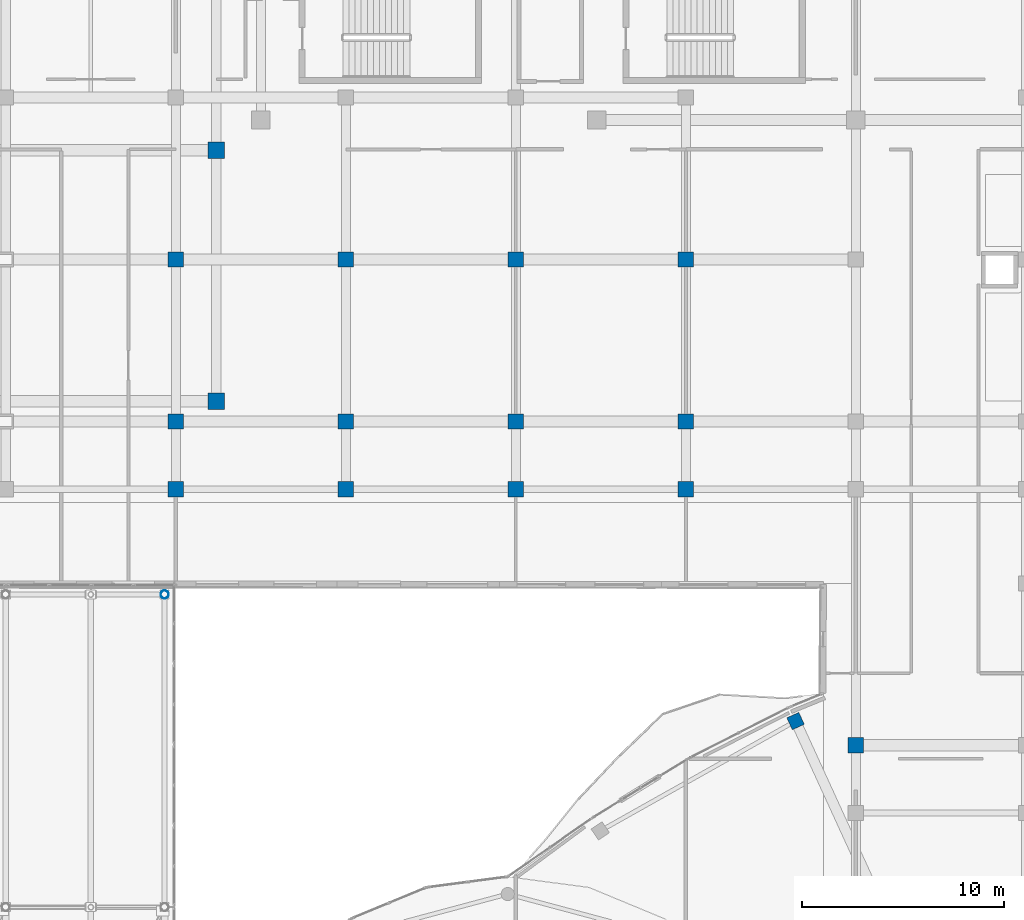
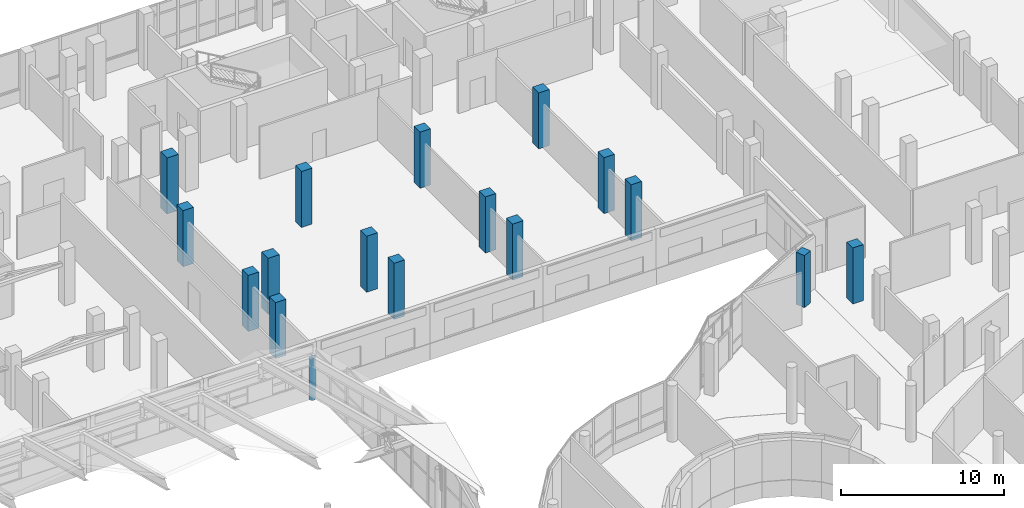
# One storey, part 10 of 184: 17 columns.
"""IFC4 building model written with IfcOpenShell, lengths in metres."""

import ifcopenshell
import ifcopenshell.guid

model = None  # the IFC model being written
_history = None  # IfcOwnerHistory: only IFC2X3 demands one
_inside = {}  # id of a spatial element -> (the spatial element, [elements in it])
_under = {}  # id of a project, library or spatial element -> (it, [spatial elements below it])
_declared = {}  # id of a project -> (the project, [libraries it declares])
_typed = {}  # id of a type object -> (the type object, [elements of that type])
_made_of = {}  # id of a material, layer set ... -> (it, [elements and type objects made of it])


def new_model(schema):
    """Start an empty IFC model of exactly this schema.

    Asked for "IFC4X3", IfcOpenShell would pick the latest addendum, in which some entities
    have other attributes; the version numbers below select the first issue.
    IFC2X3 requires an IfcOwnerHistory on every rooted entity: one is made here for all.
    """
    global model, _history
    if schema == "IFC4X3":
        model = ifcopenshell.file(schema_version=(4, 3, 0, 0))
    else:
        model = ifcopenshell.file(schema=schema)
    _inside.clear()
    _under.clear()
    _declared.clear()
    _typed.clear()
    _made_of.clear()
    _history = None
    if model.schema == "IFC2X3":
        org = make("IfcOrganization", Name="unknown")
        user = make(
            "IfcPersonAndOrganization",
            ThePerson=make("IfcPerson", FamilyName="unknown"),
            TheOrganization=org,
        )
        app = make(
            "IfcApplication",
            ApplicationDeveloper=org,
            Version="unknown",
            ApplicationFullName="unknown",
            ApplicationIdentifier="unknown",
        )
        _history = make(
            "IfcOwnerHistory",
            OwningUser=user,
            OwningApplication=app,
            ChangeAction="ADDED",
            CreationDate=0,
        )
    return model


def make(cls, **values):
    """One entity of the class cls with the attributes given. An attribute that is None is left unset."""
    return model.create_entity(
        cls, **{name: value for name, value in values.items() if value is not None}
    )


def rooted(cls, **values):
    """An entity with a GlobalId (a new one), such as an element, a storey or a relation."""
    return make(cls, GlobalId=ifcopenshell.guid.new(), OwnerHistory=_history, **values)


def si_unit(unit_type, name, prefix=None):
    """IfcSIUnit, for example si_unit("LENGTHUNIT", "METRE", prefix="MILLI")."""
    return make("IfcSIUnit", UnitType=unit_type, Prefix=prefix, Name=name)


def assignment(units):
    """IfcUnitAssignment: the units of a project."""
    return None if units is None else make("IfcUnitAssignment", Units=units)


def point(xyz):
    """IfcCartesianPoint."""
    return None if xyz is None else make("IfcCartesianPoint", Coordinates=xyz)


def direction(xyz):
    """IfcDirection."""
    return None if xyz is None else make("IfcDirection", DirectionRatios=xyz)


def frame(location, z_axis=None, x_axis=None):
    """IfcAxis2Placement3D, a coordinate frame: its origin and axes. An axis left out is left unset."""
    return make(
        "IfcAxis2Placement3D",
        Location=point(location),
        Axis=direction(z_axis),
        RefDirection=direction(x_axis),
    )


def frame_2d(location, x_axis=None):
    """IfcAxis2Placement2D, a coordinate frame in the plane: its origin and x axis."""
    return make(
        "IfcAxis2Placement2D", Location=point(location), RefDirection=direction(x_axis)
    )


def origin():
    """The frame at (0, 0, 0) with its axes left unset."""
    return frame((0.0, 0.0, 0.0))


def origin_2d():
    """The frame at (0, 0) in the plane with its x axis left unset."""
    return frame_2d((0.0, 0.0))


def place(relative_to, where):
    """IfcLocalPlacement: puts the frame where relative to a parent placement (None: the world)."""
    return make(
        "IfcLocalPlacement", PlacementRelTo=relative_to, RelativePlacement=where
    )


def context(
    kind, dimensions, precision=None, world=None, true_north=None, identifier=None
):
    """IfcGeometricRepresentationContext, for example the 3D "Model" context."""
    return make(
        "IfcGeometricRepresentationContext",
        ContextIdentifier=identifier,
        ContextType=kind,
        CoordinateSpaceDimension=dimensions,
        Precision=precision,
        WorldCoordinateSystem=world,
        TrueNorth=true_north,
    )


def subcontext(parent, identifier, kind, view, scale=None):
    """IfcGeometricRepresentationSubContext, for example "Body" below "Model"."""
    return make(
        "IfcGeometricRepresentationSubContext",
        ContextIdentifier=identifier,
        ContextType=kind,
        ParentContext=parent,
        TargetScale=scale,
        TargetView=view,
    )


def project(units=None, contexts=None):
    """IfcProject with its units and contexts."""
    return rooted(
        "IfcProject",
        Name="project",
        RepresentationContexts=contexts,
        UnitsInContext=assignment(units),
    )


def spatial(cls, under=None, at=None, **own):
    """A site, building, storey or space (cls), placed at a placement, below another one or the project."""
    s = rooted(cls, ObjectPlacement=at, **own)
    if under is not None:
        _under.setdefault(under.id(), (under, []))[1].append(s)
    return s


def profile(cls, at=None, kind="AREA", **sizes):
    """A parametric profile (cls). Its sizes go by their IFC names, for example OverallWidth=200.0."""
    return make(cls, ProfileType=kind, Position=at, **sizes)


def rectangle(**sizes):
    """IfcRectangleProfileDef."""
    return profile("IfcRectangleProfileDef", **sizes)


def hollow_circle(**sizes):
    """IfcCircleHollowProfileDef."""
    return profile("IfcCircleHollowProfileDef", **sizes)


def extrude(swept, where, along, depth):
    """IfcExtrudedAreaSolid: the profile swept, set in the frame where, extruded along a direction by depth."""
    return make(
        "IfcExtrudedAreaSolid",
        SweptArea=swept,
        Position=where,
        ExtrudedDirection=direction(along),
        Depth=depth,
    )


def shape(context_of_items, identifier, shape_type, items):
    """IfcShapeRepresentation: the items that make up one representation, for example the "Body"."""
    return make(
        "IfcShapeRepresentation",
        ContextOfItems=context_of_items,
        RepresentationIdentifier=identifier,
        RepresentationType=shape_type,
        Items=items,
    )


def material(Name=None, Category=None):
    """IfcMaterial."""
    return make("IfcMaterial", Name=Name, Category=Category)


def material_profile(
    of_material, cross_section, Name=None, Category=None, Priority=None
):
    """IfcMaterialProfile: a cross section and its material."""
    return make(
        "IfcMaterialProfile",
        Name=Name,
        Material=of_material,
        Profile=cross_section,
        Priority=Priority,
        Category=Category,
    )


def profile_set(profiles, Name=None, composite=None):
    """IfcMaterialProfileSet."""
    return make(
        "IfcMaterialProfileSet",
        Name=Name,
        MaterialProfiles=profiles,
        CompositeProfile=composite,
    )


def made_of(thing, what):
    """Note that an element or type object is made of a material, layer set ...; save() writes the relation."""
    if what is not None:
        _made_of.setdefault(what.id(), (what, []))[1].append(thing)
    return thing


def type_object(cls, material=None, **own):
    """A type object (cls), such as IfcWallType, which elements share."""
    return made_of(rooted(cls, **own), material)


def element(
    cls,
    number,
    at=None,
    inside=None,
    cuts=None,
    type_object=None,
    material=None,
    context=None,
    identifier="Body",
    shape_type=None,
    held_by="IfcProductDefinitionShape",
    body=None,
    shapes=None,
    **own,
):
    """One element of the class cls, such as IfcWall. Its Tag is "e" and its number.

    at: its placement. inside: the storey or other place that contains it. cuts: it is an
    opening in that element (IfcRelVoidsElement). A single representation is given by context,
    identifier, shape_type and body (its items); several are given by shapes. held_by: the class
    of the entity that holds the representations. save() writes the other relations.
    """
    e = rooted(cls, Tag="e%d" % number, ObjectPlacement=at, **own)
    if body is not None:
        shapes = [shape(context, identifier, shape_type, body)]
    if shapes is not None:
        e.Representation = make(held_by, Representations=shapes)
    if inside is not None:
        _inside.setdefault(inside.id(), (inside, []))[1].append(e)
    if cuts is not None:
        rooted(
            "IfcRelVoidsElement", RelatingBuildingElement=cuts, RelatedOpeningElement=e
        )
    if type_object is not None:
        _typed.setdefault(type_object.id(), (type_object, []))[1].append(e)
    return made_of(e, material)


def aggregate(whole, parts):
    """IfcRelAggregates: a whole, such as a stair, and the parts it consists of."""
    return rooted("IfcRelAggregates", RelatingObject=whole, RelatedObjects=parts)


def save(model, path):
    """Write the relations noted so far, then the file.

    IfcRelAggregates (storeys below a building ...), IfcRelContainedInSpatialStructure (elements
    in a storey), IfcRelDefinesByType, IfcRelAssociatesMaterial and IfcRelDeclares: one each for
    every whole, place, type object, material and project.
    """
    for whole, parts in _under.values():
        aggregate(whole, parts)
    for where, things in _inside.values():
        rooted(
            "IfcRelContainedInSpatialStructure",
            RelatedElements=things,
            RelatingStructure=where,
        )
    for kind, things in _typed.values():
        rooted("IfcRelDefinesByType", RelatedObjects=things, RelatingType=kind)
    for what, things in _made_of.values():
        rooted("IfcRelAssociatesMaterial", RelatedObjects=things, RelatingMaterial=what)
    for by, libraries in _declared.values():
        rooted("IfcRelDeclares", RelatingContext=by, RelatedDefinitions=libraries)
    model.write(path)


model = new_model("IFC4")

# Units and contexts
model_context = context("Model", 3, precision=1e-05, world=origin(), true_north=direction((0.0, 1.0)))
body_context = subcontext(model_context, "Body", "Model", "MODEL_VIEW")
ifc_project = project(units=[si_unit("LENGTHUNIT", "METRE"), si_unit("AREAUNIT", "SQUARE_METRE"), si_unit("VOLUMEUNIT", "CUBIC_METRE"), si_unit("PLANEANGLEUNIT", "RADIAN"), si_unit("MASSUNIT", "GRAM", prefix="KILO")], contexts=[model_context])

# Site, building, storey
site_placement = place(None, origin())
site = spatial("IfcSite", under=ifc_project, at=site_placement, CompositionType="ELEMENT")
building_placement = place(site_placement, origin())
building = spatial("IfcBuilding", under=site, at=building_placement, Name="Selatvlak General Hospital", CompositionType="ELEMENT")
storey_placement = place(building_placement, frame((0.0, 0.0, 15.0)))
storey = spatial("IfcBuildingStorey", under=building, at=storey_placement, Name="L03", CompositionType="ELEMENT", Elevation=15.0)

# Columns
ifc_material_1 = material(Name="Steel S355", Category="steel")
ifc_material_profile_1 = material_profile(ifc_material_1, hollow_circle(Radius=0.203125, WallThickness=0.01611328125, at=origin_2d()), Name="CHS 406.4x16")
ifc_profile_set_1 = profile_set([ifc_material_profile_1], Name="Steel S355")
column_type_1 = type_object("IfcColumnType", Name="COL-CHS406", PredefinedType="COLUMN", material=ifc_profile_set_1)
column_1_placement = place(storey_placement, frame((81.050048828125, 83.449951171875, 0.0), z_axis=(0.0, 0.0, 1.0), x_axis=(1.0, 0.0, 0.0)))
element("IfcColumn", 1, at=column_1_placement, inside=storey, type_object=column_type_1, Name="Column 024 on L03", PredefinedType="COLUMN", context=body_context, shape_type="SweptSolid", body=[
    extrude(hollow_circle(Radius=0.203125, WallThickness=0.01611328125, at=origin_2d()), origin(), (0.0, 0.0, 1.0), 3.155029296875),
])
ifc_material_2 = material(Name="Concrete C40/50", Category="concrete")
ifc_material_profile_2 = material_profile(ifc_material_2, rectangle(XDim=0.64990234375, YDim=0.64990234375, at=origin_2d()), Name="RC-COL 650x650")
ifc_profile_set_2 = profile_set([ifc_material_profile_2], Name="Concrete C40/50")
column_type_2 = type_object("IfcColumnType", Name="COL-RC65", PredefinedType="COLUMN", material=ifc_profile_set_2)
column_2_placement = place(storey_placement, frame((112.221923828125, 77.195068359375, 0.0), z_axis=(0.0, 0.0, 1.0), x_axis=(-0.416201444857, 0.909272432937, 0.0)))
element("IfcColumn", 2, at=column_2_placement, inside=storey, type_object=column_type_2, Name="Column 342 on L03", PredefinedType="COLUMN", context=body_context, shape_type="SweptSolid", body=[
    extrude(rectangle(XDim=0.64990234375, YDim=0.64990234375, at=origin_2d()), origin(), (0.0, 0.0, 1.0), 3.909912109375),
])
ifc_material_3 = material(Name="Concrete C50/60", Category="concrete")
ifc_material_profile_3 = material_profile(ifc_material_3, rectangle(XDim=0.75, YDim=0.75, at=origin_2d()), Name="RC-COL 750x750")
ifc_profile_set_3 = profile_set([ifc_material_profile_3], Name="Concrete C50/60")
column_type_3 = type_object("IfcColumnType", Name="COL-RC75", PredefinedType="COLUMN", material=ifc_profile_set_3)
for number, where, z_axis, x_axis, name in (
    (3, (81.60009765625, 88.64990234375, 0.0), (0.0, 0.0, 1.0), (1.0, 0.0, 0.0), "Column 201 on L03"),
    (4, (81.60009765625, 92.0, 0.0), (0.0, 0.0, 1.0), (1.0, 0.0, 0.0), "Column 202 on L03"),
    (5, (81.60009765625, 100.0, 0.0), (0.0, 0.0, 1.0), (1.0, 0.0, 0.0), "Column 203 on L03"),
    (6, (90.0, 88.64990234375, 0.0), (0.0, 0.0, 1.0), (1.0, 0.0, 0.0), "Column 210 on L03"),
    (7, (90.0, 92.0, 0.0), (0.0, 0.0, 1.0), (1.0, 0.0, 0.0), "Column 211 on L03"),
    (8, (90.0, 100.0, 0.0), (0.0, 0.0, 1.0), (1.0, 0.0, 0.0), "Column 212 on L03"),
    (9, (98.39990234375, 88.64990234375, 0.0), (0.0, 0.0, 1.0), (1.0, 0.0, 0.0), "Column 218 on L03"),
    (10, (98.39990234375, 92.0, 0.0), (0.0, 0.0, 1.0), (1.0, 0.0, 0.0), "Column 219 on L03"),
    (11, (98.39990234375, 100.0, 0.0), (0.0, 0.0, 1.0), (1.0, 0.0, 0.0), "Column 220 on L03"),
    (12, (106.800048828125, 88.64990234375, 0.0), (0.0, 0.0, 1.0), (1.0, 0.0, 0.0), "Column 224 on L03"),
    (13, (106.800048828125, 92.0, 0.0), (0.0, 0.0, 1.0), (1.0, 0.0, 0.0), "Column 225 on L03"),
    (14, (106.800048828125, 100.0, 0.0), (0.0, 0.0, 1.0), (1.0, 0.0, 0.0), "Column 226 on L03"),
    (15, (115.199951171875, 76.0, 0.0), (0.0, 0.0, 1.0), (1.0, 0.0, 0.0), "Column 231 on L03"),
):
    element("IfcColumn", number, at=place(storey_placement, frame(where, z_axis=z_axis, x_axis=x_axis)), inside=storey, type_object=column_type_3, Name=name, PredefinedType="COLUMN", context=body_context, shape_type="SweptSolid", body=[
        extrude(rectangle(XDim=0.75, YDim=0.75, at=origin_2d()), origin(), (0.0, 0.0, 1.0), 4.199951171875),
    ])
ifc_material_profile_4 = material_profile(ifc_material_3, rectangle(XDim=0.800048828125, YDim=0.800048828125, at=origin_2d()), Name="RC-COL 800x800")
ifc_profile_set_4 = profile_set([ifc_material_profile_4], Name="Concrete C50/60")
column_type_4 = type_object("IfcColumnType", Name="COL-RC80", PredefinedType="COLUMN", material=ifc_profile_set_4)
for number, where, z_axis, x_axis, name in (
    (16, (83.60009765625, 93.0, 0.0), (0.0, 0.0, 1.0), (1.0, 0.0, 0.0), "Column 043 on L03"),
    (17, (83.60009765625, 105.39990234375, 0.0), (0.0, 0.0, 1.0), (1.0, 0.0, 0.0), "Column 044 on L03"),
):
    element("IfcColumn", number, at=place(storey_placement, frame(where, z_axis=z_axis, x_axis=x_axis)), inside=storey, type_object=column_type_4, Name=name, PredefinedType="COLUMN", context=body_context, shape_type="SweptSolid", body=[
        extrude(rectangle(XDim=0.800048828125, YDim=0.800048828125, at=origin_2d()), origin(), (0.0, 0.0, 1.0), 4.199951171875),
    ])

save(model, "model.ifc")
